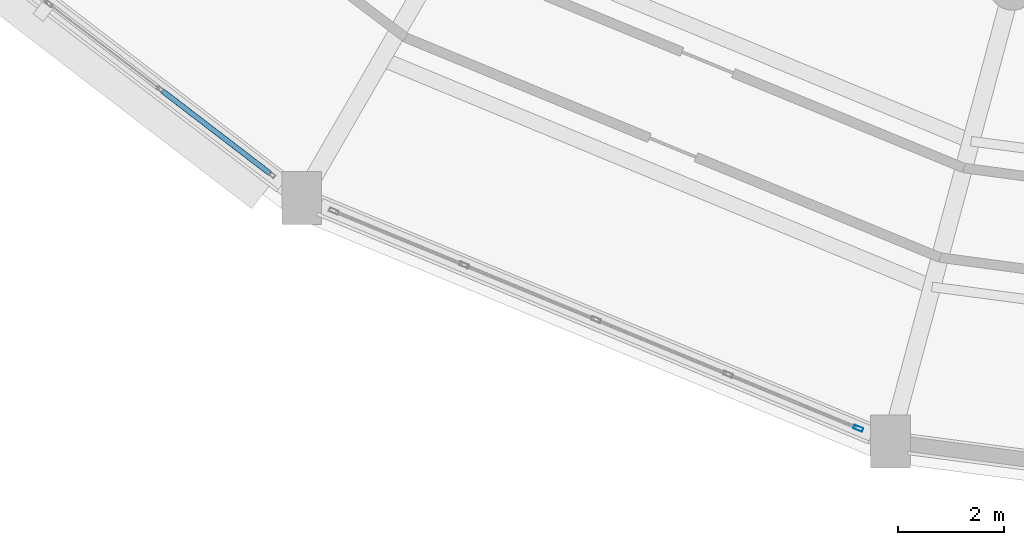
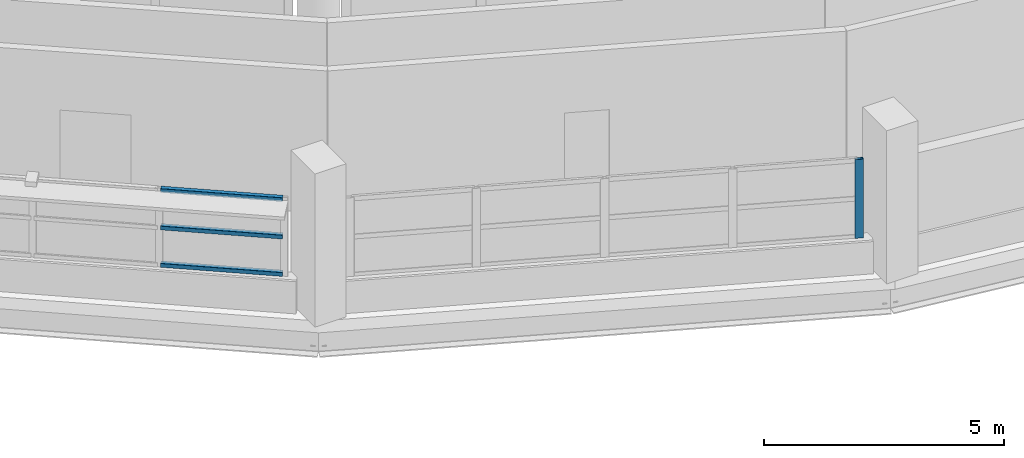
# One storey, part 5 of 88: 4 members, 2 elements without a shape of their own.
"""IFC4 building model written with IfcOpenShell, lengths in metres."""

from ifc_helpers import new_model, si_unit, direction, frame, origin, origin_2d, place, context, subcontext, project, spatial, hollow_rectangle, extrude, material, layer, layer_set, material_profile, profile_set, type_object, element, aggregate, save


model = new_model("IFC4")

# Units and contexts
model_context = context("Model", 3, precision=1e-05, world=origin(), true_north=direction((0.0, 1.0)))
body_context = subcontext(model_context, "Body", "Model", "MODEL_VIEW")
ifc_project = project(units=[si_unit("LENGTHUNIT", "METRE"), si_unit("AREAUNIT", "SQUARE_METRE"), si_unit("VOLUMEUNIT", "CUBIC_METRE"), si_unit("PLANEANGLEUNIT", "RADIAN"), si_unit("MASSUNIT", "GRAM", prefix="KILO")], contexts=[model_context])

# Site, building, storey
site_placement = place(None, origin())
site = spatial("IfcSite", under=ifc_project, at=site_placement, CompositionType="ELEMENT")
building_placement = place(site_placement, origin())
building = spatial("IfcBuilding", under=site, at=building_placement, Name="Vespera Passage Community Centre", CompositionType="ELEMENT")
storey_placement = place(building_placement, frame((0.0, 0.0, 16.5)))
storey = spatial("IfcBuildingStorey", under=building, at=storey_placement, Name="L04", CompositionType="ELEMENT", Elevation=16.5)

# Curtain wall, member
ifc_material_1 = material(Name="Anodized aluminium 6063-T6", Category="aluminium")
ifc_layer_1 = layer(ifc_material_1, 0.159912109375)
ifc_layer_set_1 = layer_set([ifc_layer_1], Name="Anodized aluminium 6063-T6")
curtain_wall_type_1 = type_object("IfcCurtainWallType", Name="CW-55E", PredefinedType="NOTDEFINED", material=ifc_layer_set_1)
curtain_wall_1_placement = place(storey_placement, origin())
curtain_wall_1 = element("IfcCurtainWall", 1, at=curtain_wall_1_placement, inside=storey, type_object=curtain_wall_type_1, Name="V4 L04 Outer Ribbon Curtain Wall 16", PredefinedType="NOTDEFINED")
ifc_material_2 = material(Name="Anodized aluminium 6063-T6", Category="aluminium")
ifc_material_profile_1 = material_profile(ifc_material_2, hollow_rectangle(XDim=0.074951171875, YDim=0.179931640625, WallThickness=0.0048828125, InnerFilletRadius=0.00244140625, OuterFilletRadius=0.0048828125, at=origin_2d()), Name="ALU180X75X5")
ifc_profile_set_1 = profile_set([ifc_material_profile_1], Name="Anodized aluminium 6063-T6")
member_type_1 = type_object("IfcMemberType", Name="MB-CWM-180E", PredefinedType="MULLION", material=ifc_profile_set_1)
member_1_placement = place(storey_placement, frame((65.460205078125, 21.22265625, 0.820068359375), z_axis=(0.0, 0.0, 1.0), x_axis=(-0.382682936255, -0.923879738007, 0.0)))
member_1 = element("IfcMember", 2, at=member_1_placement, type_object=member_type_1, Name="CW-55E mullion 1", PredefinedType="MULLION", context=body_context, shape_type="SweptSolid", body=[
    extrude(hollow_rectangle(XDim=0.074951171875, YDim=0.179931640625, WallThickness=0.0048828125, InnerFilletRadius=0.00244140625, OuterFilletRadius=0.0048828125, at=origin_2d()), origin(), (0.0, 0.0, 1.0), 2.005615234375),
])
aggregate(curtain_wall_1, [member_1])

# Curtain wall, members
ifc_material_3 = material(Name="Anodized aluminium 6063-T6", Category="aluminium")
ifc_layer_2 = layer(ifc_material_3, 0.159912109375)
ifc_layer_set_2 = layer_set([ifc_layer_2], Name="Anodized aluminium 6063-T6")
curtain_wall_type_2 = type_object("IfcCurtainWallType", Name="CW-53E", PredefinedType="NOTDEFINED", material=ifc_layer_set_2)
curtain_wall_2_placement = place(storey_placement, origin())
curtain_wall_2 = element("IfcCurtainWall", 3, at=curtain_wall_2_placement, inside=storey, type_object=curtain_wall_type_2, Name="V4 L04 Outer Ribbon Curtain Wall 15", PredefinedType="NOTDEFINED")
ifc_material_4 = material(Name="Anodized aluminium 6063-T6", Category="aluminium")
ifc_material_profile_2 = material_profile(ifc_material_4, hollow_rectangle(XDim=0.10009765625, YDim=0.10009765625, WallThickness=0.00390625, InnerFilletRadius=0.001953125, OuterFilletRadius=0.00390625, at=origin_2d()), Name="ALU100X100X4")
ifc_profile_set_2 = profile_set([ifc_material_profile_2], Name="Anodized aluminium 6063-T6")
member_type_2 = type_object("IfcMemberType", Name="MB-CWT-100E", PredefinedType="USERDEFINED", material=ifc_profile_set_2)
member_2_placement = place(storey_placement, frame((54.352783203125, 26.034423828125, 0.8701171875), z_axis=(-0.793355257183, 0.608758930859, 0.0), x_axis=(-0.608758930859, -0.793355257183, 0.0)))
member_2 = element("IfcMember", 4, at=member_2_placement, type_object=member_type_2, Name="CW-53E transom 1.1", ObjectType="TRANSOM", PredefinedType="USERDEFINED", context=body_context, shape_type="SweptSolid", body=[
    extrude(hollow_rectangle(XDim=0.10009765625, YDim=0.10009765625, WallThickness=0.00390625, InnerFilletRadius=0.001953125, OuterFilletRadius=0.00390625, at=origin_2d()), origin(), (0.0, 0.0, 1.0), 2.567138671875),
])
member_3_placement = place(storey_placement, frame((54.352783203125, 26.034423828125, 1.82275390625), z_axis=(-0.793355257183, 0.608758930859, 0.0), x_axis=(-0.608758930859, -0.793355257183, 0.0)))
member_3 = element("IfcMember", 5, at=member_3_placement, type_object=member_type_2, Name="CW-53E transom 1.2", ObjectType="TRANSOM", PredefinedType="USERDEFINED", context=body_context, shape_type="SweptSolid", body=[
    extrude(hollow_rectangle(XDim=0.10009765625, YDim=0.10009765625, WallThickness=0.00390625, InnerFilletRadius=0.001953125, OuterFilletRadius=0.00390625, at=origin_2d()), origin(), (0.0, 0.0, 1.0), 2.567138671875),
])
member_4_placement = place(storey_placement, frame((54.352783203125, 26.034423828125, 2.775634765625), z_axis=(-0.793355257183, 0.608758930859, 0.0), x_axis=(-0.608758930859, -0.793355257183, 0.0)))
member_4 = element("IfcMember", 6, at=member_4_placement, type_object=member_type_2, Name="CW-53E transom 1.3", ObjectType="TRANSOM", PredefinedType="USERDEFINED", context=body_context, shape_type="SweptSolid", body=[
    extrude(hollow_rectangle(XDim=0.10009765625, YDim=0.10009765625, WallThickness=0.00390625, InnerFilletRadius=0.001953125, OuterFilletRadius=0.00390625, at=origin_2d()), origin(), (0.0, 0.0, 1.0), 2.567138671875),
])
aggregate(curtain_wall_2, [member_2, member_3, member_4])

save(model, "model.ifc")
